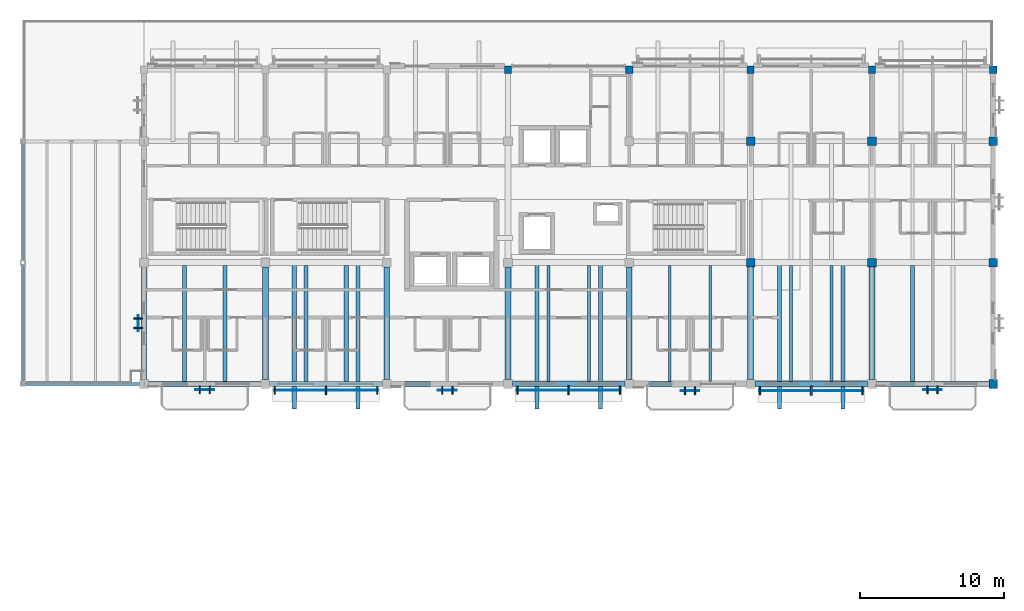
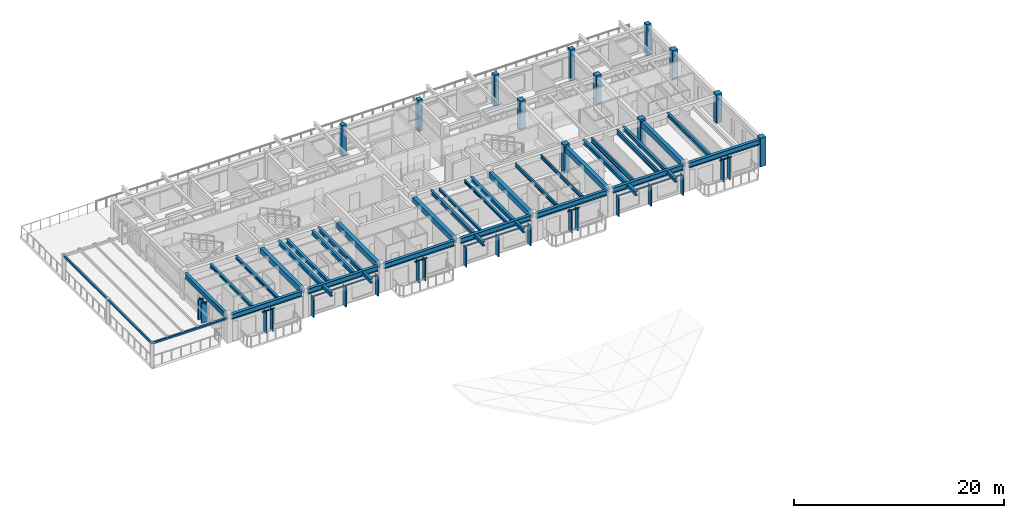
# One storey, part 4 of 22: 31 beams, 29 members, 12 columns, 8 elements without a shape of their own.
"""IFC4 building model written with IfcOpenShell, lengths in metres."""

from ifc_helpers import new_model, si_unit, direction, frame, origin, origin_2d, place, context, subcontext, project, spatial, rectangle, hollow_rectangle, i_section, extrude, material, material_profile, profile_set, type_object, element, aggregate, save


model = new_model("IFC4")

# Units and contexts
model_context = context("Model", 3, precision=1e-05, world=origin(), true_north=direction((0.0, 1.0)))
body_context = subcontext(model_context, "Body", "Model", "MODEL_VIEW")
ifc_project = project(units=[si_unit("LENGTHUNIT", "METRE"), si_unit("AREAUNIT", "SQUARE_METRE"), si_unit("VOLUMEUNIT", "CUBIC_METRE"), si_unit("PLANEANGLEUNIT", "RADIAN"), si_unit("MASSUNIT", "GRAM", prefix="KILO")], contexts=[model_context])

# Site, building, storey
site_placement = place(None, origin())
site = spatial("IfcSite", under=ifc_project, at=site_placement, CompositionType="ELEMENT")
building_placement = place(site_placement, origin())
building = spatial("IfcBuilding", under=site, at=building_placement, Name="Cumbredor Promenade Congress Hotel", CompositionType="ELEMENT")
storey_placement = place(building_placement, frame((0.0, 0.0, 28.56005859375)))
storey = spatial("IfcBuildingStorey", under=building, at=storey_placement, Name="L08", CompositionType="ELEMENT", Elevation=28.56005859375)

# Columns
ifc_material_1 = material(Name="Concrete C40/50", Category="concrete")
ifc_material_profile_1 = material_profile(ifc_material_1, rectangle(XDim=0.5, YDim=0.5, at=origin_2d()), Name="RC 500x500")
ifc_profile_set_1 = profile_set([ifc_material_profile_1], Name="Concrete C40/50")
column_type_1 = type_object("IfcColumnType", Name="COL-RC-500", PredefinedType="COLUMN", material=ifc_profile_set_1)
for number, where, z_axis, x_axis, name in (
    (1, (33.60009765625, 114.14990234375, -0.31494140625), (0.0, 0.0, 1.0), (1.0, 0.0, 0.0), "L08 Structural Column 016"),
    (2, (42.0, 114.14990234375, -0.31494140625), (0.0, 0.0, 1.0), (1.0, 0.0, 0.0), "L08 Structural Column 020"),
    (3, (50.39990234375, 114.14990234375, -0.31494140625), (0.0, 0.0, 1.0), (1.0, 0.0, 0.0), "L08 Structural Column 024"),
    (4, (58.800048828125, 114.14990234375, -0.31494140625), (0.0, 0.0, 1.0), (1.0, 0.0, 0.0), "L08 Structural Column 028"),
    (5, (67.199951171875, 114.14990234375, -0.31494140625), (0.0, 0.0, 1.0), (1.0, 0.0, 0.0), "L08 Structural Column 032"),
):
    element("IfcColumn", number, at=place(storey_placement, frame(where, z_axis=z_axis, x_axis=x_axis)), inside=storey, type_object=column_type_1, Name=name, PredefinedType="COLUMN", context=body_context, shape_type="SweptSolid", body=[
        extrude(rectangle(XDim=0.5, YDim=0.5, at=origin_2d()), origin(), (0.0, 0.0, 1.0), 3.6748046875),
    ])
ifc_material_profile_2 = material_profile(ifc_material_1, rectangle(XDim=0.60009765625, YDim=0.60009765625, at=origin_2d()), Name="RC 600x600")
ifc_profile_set_2 = profile_set([ifc_material_profile_2], Name="Concrete C40/50")
column_type_2 = type_object("IfcColumnType", Name="COL-RC-600", PredefinedType="COLUMN", material=ifc_profile_set_2)
for number, where, z_axis, x_axis, name in (
    (6, (50.39990234375, 100.800048828125, 0.0), (0.0, 0.0, 1.0), (1.0, 0.0, 0.0), "L08 Structural Column 022"),
    (7, (50.39990234375, 109.199951171875, 0.0), (0.0, 0.0, 1.0), (1.0, 0.0, 0.0), "L08 Structural Column 023"),
    (8, (58.800048828125, 100.800048828125, 0.0), (0.0, 0.0, 1.0), (1.0, 0.0, 0.0), "L08 Structural Column 026"),
    (9, (58.800048828125, 109.199951171875, 0.0), (0.0, 0.0, 1.0), (1.0, 0.0, 0.0), "L08 Structural Column 027"),
    (10, (67.199951171875, 92.39990234375, 0.0), (0.0, 0.0, 1.0), (1.0, 0.0, 0.0), "L08 Structural Column 029"),
    (11, (67.199951171875, 100.800048828125, 0.0), (0.0, 0.0, 1.0), (1.0, 0.0, 0.0), "L08 Structural Column 030"),
    (12, (67.199951171875, 109.199951171875, 0.0), (0.0, 0.0, 1.0), (1.0, 0.0, 0.0), "L08 Structural Column 031"),
):
    element("IfcColumn", number, at=place(storey_placement, frame(where, z_axis=z_axis, x_axis=x_axis)), inside=storey, type_object=column_type_2, Name=name, PredefinedType="COLUMN", context=body_context, shape_type="SweptSolid", body=[
        extrude(rectangle(XDim=0.60009765625, YDim=0.60009765625, at=origin_2d()), origin(), (0.0, 0.0, 1.0), 3.35986328125),
    ])

# Beams
ifc_material_profile_3 = material_profile(ifc_material_1, rectangle(XDim=0.39990234375, YDim=0.64990234375, at=origin_2d()), Name="RC BEAM 400x650")
ifc_profile_set_3 = profile_set([ifc_material_profile_3], Name="Concrete C40/50")
beam_type_1 = type_object("IfcBeamType", Name="BM-RC-400x650", PredefinedType="BEAM", material=ifc_profile_set_3)
for number, where, z_axis, x_axis, name in (
    (13, (16.800048828125, 92.699951171875, 2.794921875), (0.0, 1.0, 0.0), (-1.0, 0.0, 0.0), "L09 Y-Grid Beam 008"),
    (14, (25.199951171875, 92.699951171875, 2.794921875), (0.0, 1.0, 0.0), (-1.0, 0.0, 0.0), "L09 Y-Grid Beam 013"),
    (15, (33.60009765625, 92.699951171875, 2.794921875), (0.0, 1.0, 0.0), (-1.0, 0.0, 0.0), "L09 Y-Grid Beam 017"),
    (16, (42.0, 92.699951171875, 2.794921875), (0.0, 1.0, 0.0), (-1.0, 0.0, 0.0), "L09 Y-Grid Beam 022"),
    (17, (50.39990234375, 92.699951171875, 2.794921875), (0.0, 1.0, 0.0), (-1.0, 0.0, 0.0), "L09 Y-Grid Beam 027"),
    (18, (58.800048828125, 92.699951171875, 2.794921875), (0.0, 1.0, 0.0), (-1.0, 0.0, 0.0), "L09 Y-Grid Beam 033"),
):
    element("IfcBeam", number, at=place(storey_placement, frame(where, z_axis=z_axis, x_axis=x_axis)), inside=storey, type_object=beam_type_1, Name=name, PredefinedType="BEAM", context=body_context, shape_type="SweptSolid", body=[
        extrude(rectangle(XDim=0.39990234375, YDim=0.64990234375, at=origin_2d()), origin(), (0.0, 0.0, 1.0), 7.800048828125),
    ])
ifc_material_2 = material(Name="Steel ASTM A992 Grade 50", Category="steel")
ifc_material_profile_4 = material_profile(ifc_material_2, i_section(OverallWidth=0.323974609375, OverallDepth=0.611083984375, WebThickness=0.0126953125, FlangeThickness=0.01904296875, at=origin_2d()), Name="W24X104")
ifc_profile_set_4 = profile_set([ifc_material_profile_4], Name="Steel ASTM A992 Grade 50")
beam_type_2 = type_object("IfcBeamType", Name="BM-W24X104", PredefinedType="BEAM", material=ifc_profile_set_4)
beam_1_placement = place(storey_placement, frame((8.699951171875, 92.39990234375, 2.814453125), z_axis=(1.0, 0.0, 0.0), x_axis=(0.0, 1.0, 0.0)))
element("IfcBeam", 19, at=beam_1_placement, inside=storey, type_object=beam_type_2, Name="L09 X-Grid Beam 001", PredefinedType="BEAM", context=body_context, shape_type="SweptSolid", body=[
    extrude(i_section(OverallWidth=0.323974609375, OverallDepth=0.611083984375, WebThickness=0.0126953125, FlangeThickness=0.01904296875, at=origin_2d()), origin(), (0.0, 0.0, 1.0), 7.800048828125),
])
beam_2_placement = place(storey_placement, frame((17.10009765625, 92.39990234375, 2.814453125), z_axis=(1.0, 0.0, 0.0), x_axis=(0.0, 1.0, 0.0)))
element("IfcBeam", 20, at=beam_2_placement, inside=storey, type_object=beam_type_2, Name="L09 X-Grid Beam 007", PredefinedType="BEAM", context=body_context, shape_type="SweptSolid", body=[
    extrude(i_section(OverallWidth=0.323974609375, OverallDepth=0.611083984375, WebThickness=0.0126953125, FlangeThickness=0.01904296875, at=origin_2d()), origin(), (0.0, 0.0, 1.0), 7.7998046875),
])
for number, where, z_axis, x_axis, name in (
    (21, (25.5, 92.39990234375, 2.814453125), (1.0, 0.0, 0.0), (0.0, 1.0, 0.0), "L09 X-Grid Beam 012"),
    (22, (33.89990234375, 92.39990234375, 2.814453125), (1.0, 0.0, 0.0), (0.0, 1.0, 0.0), "L09 X-Grid Beam 016"),
    (23, (42.300048828125, 92.39990234375, 2.814453125), (1.0, 0.0, 0.0), (0.0, 1.0, 0.0), "L09 X-Grid Beam 021"),
    (24, (50.699951171875, 92.39990234375, 2.814453125), (1.0, 0.0, 0.0), (0.0, 1.0, 0.0), "L09 X-Grid Beam 026"),
):
    element("IfcBeam", number, at=place(storey_placement, frame(where, z_axis=z_axis, x_axis=x_axis)), inside=storey, type_object=beam_type_2, Name=name, PredefinedType="BEAM", context=body_context, shape_type="SweptSolid", body=[
        extrude(i_section(OverallWidth=0.323974609375, OverallDepth=0.611083984375, WebThickness=0.0126953125, FlangeThickness=0.01904296875, at=origin_2d()), origin(), (0.0, 0.0, 1.0), 7.800048828125),
    ])
beam_3_placement = place(storey_placement, frame((59.10009765625, 92.39990234375, 2.814453125), z_axis=(1.0, 0.0, 0.0), x_axis=(0.0, 1.0, 0.0)))
element("IfcBeam", 25, at=beam_3_placement, inside=storey, type_object=beam_type_2, Name="L09 X-Grid Beam 032", PredefinedType="BEAM", context=body_context, shape_type="SweptSolid", body=[
    extrude(i_section(OverallWidth=0.323974609375, OverallDepth=0.611083984375, WebThickness=0.0126953125, FlangeThickness=0.01904296875, at=origin_2d()), origin(), (0.0, 0.0, 1.0), 7.7998046875),
])

# Curtain wall, member
ifc_material_3 = material(Name="Thermally broken anodized aluminium and low-E glass", Category="aluminium")
curtain_wall_type = type_object("IfcCurtainWallType", Name="Solar Brise-Soleil Screen Assembly CW-07", PredefinedType="NOTDEFINED", material=ifc_material_3)
curtain_wall_1_placement = place(storey_placement, origin())
curtain_wall_1 = element("IfcCurtainWall", 26, at=curtain_wall_1_placement, inside=storey, type_object=curtain_wall_type, Name="L08 Veranda Solar Brise-Soleil Screen 1042", PredefinedType="NOTDEFINED")
ifc_material_4 = material(Name="Thermally broken anodized aluminium", Category="aluminium")
ifc_material_profile_5 = material_profile(ifc_material_4, rectangle(XDim=0.06494140625, YDim=0.1298828125, at=origin_2d()), Name="ALU TRANSOM 65x130")
ifc_profile_set_5 = profile_set([ifc_material_profile_5], Name="Thermally broken anodized aluminium")
member_type_1 = type_object("IfcMemberType", Name="Curtain Wall Transom TR-01", PredefinedType="USERDEFINED", material=ifc_profile_set_5)
member_1_placement = place(storey_placement, frame((11.949951171875, 91.989990234375, 2.4140625), z_axis=(1.0, 0.0, 0.0), x_axis=(0.0, 1.0, 0.0)))
member_1 = element("IfcMember", 27, at=member_1_placement, type_object=member_type_1, Name="L08 Brise-Soleil Header Tie 1044", ObjectType="TRANSOM", PredefinedType="USERDEFINED", context=body_context, shape_type="SweptSolid", body=[
    extrude(rectangle(XDim=0.06494140625, YDim=0.1298828125, at=origin_2d()), origin(), (0.0, 0.0, 1.0), 1.300048828125),
])

curtain_wall_2_placement = place(storey_placement, origin())
curtain_wall_2 = element("IfcCurtainWall", 28, at=curtain_wall_2_placement, inside=storey, type_object=curtain_wall_type, Name="L08 Hospitality Brise-Soleil Screen 103", PredefinedType="NOTDEFINED")
member_2_placement = place(storey_placement, frame((17.40087890625, 91.9775390625, 2.31396484375), z_axis=(1.0, 0.0, 0.0), x_axis=(0.0, 1.0, 0.0)))
member_2 = element("IfcMember", 29, at=member_2_placement, type_object=member_type_1, Name="L08 Brise-Soleil Screen Transom 103", ObjectType="TRANSOM", PredefinedType="USERDEFINED", context=body_context, shape_type="SweptSolid", body=[
    extrude(rectangle(XDim=0.06494140625, YDim=0.1298828125, at=origin_2d()), origin(), (0.0, 0.0, 1.0), 7.1982421875),
])

curtain_wall_3_placement = place(storey_placement, origin())
curtain_wall_3 = element("IfcCurtainWall", 30, at=curtain_wall_3_placement, inside=storey, type_object=curtain_wall_type, Name="L08 Veranda Solar Brise-Soleil Screen 1048", PredefinedType="NOTDEFINED")
member_3_placement = place(storey_placement, frame((28.75, 91.965087890625, 2.4140625), z_axis=(1.0, 0.0, 0.0), x_axis=(0.0, 1.0, 0.0)))
member_3 = element("IfcMember", 31, at=member_3_placement, type_object=member_type_1, Name="L08 Brise-Soleil Header Tie 1050", ObjectType="TRANSOM", PredefinedType="USERDEFINED", context=body_context, shape_type="SweptSolid", body=[
    extrude(rectangle(XDim=0.06494140625, YDim=0.1298828125, at=origin_2d()), origin(), (0.0, 0.0, 1.0), 1.300048828125),
])

curtain_wall_4_placement = place(storey_placement, origin())
curtain_wall_4 = element("IfcCurtainWall", 32, at=curtain_wall_4_placement, inside=storey, type_object=curtain_wall_type, Name="L08 Hospitality Brise-Soleil Screen 104", PredefinedType="NOTDEFINED")
member_4_placement = place(storey_placement, frame((34.200927734375, 91.949951171875, 2.31396484375), z_axis=(1.0, 0.0, 0.0), x_axis=(0.0, 1.0, 0.0)))
member_4 = element("IfcMember", 33, at=member_4_placement, type_object=member_type_1, Name="L08 Brise-Soleil Screen Transom 104", ObjectType="TRANSOM", PredefinedType="USERDEFINED", context=body_context, shape_type="SweptSolid", body=[
    extrude(rectangle(XDim=0.06494140625, YDim=0.1298828125, at=origin_2d()), origin(), (0.0, 0.0, 1.0), 7.197998046875),
])

curtain_wall_5_placement = place(storey_placement, origin())
curtain_wall_5 = element("IfcCurtainWall", 34, at=curtain_wall_5_placement, inside=storey, type_object=curtain_wall_type, Name="L08 Veranda Solar Brise-Soleil Screen 1054", PredefinedType="NOTDEFINED")
member_5_placement = place(storey_placement, frame((45.550048828125, 91.927490234375, 2.4140625), z_axis=(1.0, 0.0, 0.0), x_axis=(0.0, 1.0, 0.0)))
member_5 = element("IfcMember", 35, at=member_5_placement, type_object=member_type_1, Name="L08 Brise-Soleil Header Tie 1056", ObjectType="TRANSOM", PredefinedType="USERDEFINED", context=body_context, shape_type="SweptSolid", body=[
    extrude(rectangle(XDim=0.06494140625, YDim=0.1298828125, at=origin_2d()), origin(), (0.0, 0.0, 1.0), 1.300048828125),
])

curtain_wall_6_placement = place(storey_placement, origin())
curtain_wall_6 = element("IfcCurtainWall", 36, at=curtain_wall_6_placement, inside=storey, type_object=curtain_wall_type, Name="L08 Hospitality Brise-Soleil Screen 105", PredefinedType="NOTDEFINED")
member_6_placement = place(storey_placement, frame((51.0009765625, 91.9150390625, 2.31396484375), z_axis=(1.0, 0.0, 0.0), x_axis=(0.0, 1.0, 0.0)))
member_6 = element("IfcMember", 37, at=member_6_placement, type_object=member_type_1, Name="L08 Brise-Soleil Screen Transom 105", ObjectType="TRANSOM", PredefinedType="USERDEFINED", context=body_context, shape_type="SweptSolid", body=[
    extrude(rectangle(XDim=0.06494140625, YDim=0.1298828125, at=origin_2d()), origin(), (0.0, 0.0, 1.0), 7.197998046875),
])

curtain_wall_7_placement = place(storey_placement, origin())
curtain_wall_7 = element("IfcCurtainWall", 38, at=curtain_wall_7_placement, inside=storey, type_object=curtain_wall_type, Name="L08 Veranda Solar Brise-Soleil Screen 1060", PredefinedType="NOTDEFINED")
member_7_placement = place(storey_placement, frame((62.35009765625, 92.010009765625, 2.4140625), z_axis=(1.0, 0.0, 0.0), x_axis=(0.0, 1.0, 0.0)))
member_7 = element("IfcMember", 39, at=member_7_placement, type_object=member_type_1, Name="L08 Brise-Soleil Header Tie 1062", ObjectType="TRANSOM", PredefinedType="USERDEFINED", context=body_context, shape_type="SweptSolid", body=[
    extrude(rectangle(XDim=0.06494140625, YDim=0.1298828125, at=origin_2d()), origin(), (0.0, 0.0, 1.0), 1.2998046875),
])

curtain_wall_8_placement = place(storey_placement, origin())
curtain_wall_8 = element("IfcCurtainWall", 40, at=curtain_wall_8_placement, inside=storey, type_object=curtain_wall_type, Name="L08 Pier Brise-Soleil Screen 1078", PredefinedType="NOTDEFINED")
member_8_placement = place(storey_placement, frame((7.989990234375, 96.050048828125, 2.333984375), z_axis=(0.0, 1.0, 0.0), x_axis=(-1.0, 0.0, 0.0)))
member_8 = element("IfcMember", 41, at=member_8_placement, type_object=member_type_1, Name="L08 Pier Brise-Soleil Header 1080", ObjectType="TRANSOM", PredefinedType="USERDEFINED", context=body_context, shape_type="SweptSolid", body=[
    extrude(rectangle(XDim=0.06494140625, YDim=0.1298828125, at=origin_2d()), origin(), (0.0, 0.0, 1.0), 1.099853515625),
])

# Beams
ifc_material_profile_6 = material_profile(ifc_material_2, i_section(OverallWidth=0.202880859375, OverallDepth=0.302978515625, WebThickness=0.007568359375, FlangeThickness=0.01318359375, at=origin_2d()), Name="W12X40")
ifc_profile_set_6 = profile_set([ifc_material_profile_6], Name="Steel ASTM A992 Grade 50")
beam_type_3 = type_object("IfcBeamType", Name="JST-W12X40", PredefinedType="JOIST", material=ifc_profile_set_6)
for number, where, z_axis, x_axis, name in (
    (42, (36.39990234375, 92.56201171875, 2.968505859375), (0.0, 1.0, 0.0), (-1.0, 0.0, 0.0), "L09 Secondary Floor Joist 0005"),
    (43, (39.199951171875, 92.56201171875, 2.968505859375), (0.0, 1.0, 0.0), (-1.0, 0.0, 0.0), "L09 Secondary Floor Joist 0006"),
):
    element("IfcBeam", number, at=place(storey_placement, frame(where, z_axis=z_axis, x_axis=x_axis)), inside=storey, type_object=beam_type_3, Name=name, PredefinedType="JOIST", context=body_context, shape_type="SweptSolid", body=[
        extrude(i_section(OverallWidth=0.202880859375, OverallDepth=0.302978515625, WebThickness=0.007568359375, FlangeThickness=0.01318359375, at=origin_2d()), origin(), (0.0, 0.0, 1.0), 8.0380859375),
    ])
ifc_material_profile_7 = material_profile(ifc_material_2, i_section(OverallWidth=0.2548828125, OverallDepth=0.35693359375, WebThickness=0.010498046875, FlangeThickness=0.018310546875, at=origin_2d()), Name="W14X68")
ifc_profile_set_7 = profile_set([ifc_material_profile_7], Name="Steel ASTM A992 Grade 50")
beam_type_4 = type_object("IfcBeamType", Name="JST-W14X68", PredefinedType="JOIST", material=ifc_profile_set_7)
for number, where, z_axis, x_axis, name in (
    (44, (11.199951171875, 92.56201171875, 2.94140625), (0.0, 1.0, 0.0), (-1.0, 0.0, 0.0), "L09 Secondary Floor Joist 0001"),
    (45, (14.0, 92.56201171875, 2.94140625), (0.0, 1.0, 0.0), (-1.0, 0.0, 0.0), "L09 Secondary Floor Joist 0002"),
):
    element("IfcBeam", number, at=place(storey_placement, frame(where, z_axis=z_axis, x_axis=x_axis)), inside=storey, type_object=beam_type_4, Name=name, PredefinedType="JOIST", context=body_context, shape_type="SweptSolid", body=[
        extrude(i_section(OverallWidth=0.2548828125, OverallDepth=0.35693359375, WebThickness=0.010498046875, FlangeThickness=0.018310546875, at=origin_2d()), origin(), (0.0, 0.0, 1.0), 8.0380859375),
    ])
ifc_material_profile_8 = material_profile(ifc_material_2, i_section(OverallWidth=0.180908203125, OverallDepth=0.4169921875, WebThickness=0.010986328125, FlangeThickness=0.018310546875, at=origin_2d()), Name="W16X57")
ifc_profile_set_8 = profile_set([ifc_material_profile_8], Name="Steel ASTM A992 Grade 50")
beam_type_5 = type_object("IfcBeamType", Name="JST-W16X57", PredefinedType="JOIST", material=ifc_profile_set_8)
for number, where, z_axis, x_axis, name in (
    (46, (44.800048828125, 92.56201171875, 2.911376953125), (0.0, 1.0, 0.0), (-1.0, 0.0, 0.0), "L09 Secondary Floor Joist 0007"),
    (47, (47.60009765625, 92.56201171875, 2.911376953125), (0.0, 1.0, 0.0), (-1.0, 0.0, 0.0), "L09 Secondary Floor Joist 0008"),
):
    element("IfcBeam", number, at=place(storey_placement, frame(where, z_axis=z_axis, x_axis=x_axis)), inside=storey, type_object=beam_type_5, Name=name, PredefinedType="JOIST", context=body_context, shape_type="SweptSolid", body=[
        extrude(i_section(OverallWidth=0.180908203125, OverallDepth=0.4169921875, WebThickness=0.010986328125, FlangeThickness=0.018310546875, at=origin_2d()), origin(), (0.0, 0.0, 1.0), 8.0380859375),
    ])
ifc_material_profile_9 = material_profile(ifc_material_2, i_section(OverallWidth=0.280029296875, OverallDepth=0.462890625, WebThickness=0.0107421875, FlangeThickness=0.017333984375, at=origin_2d()), Name="W18X76")
ifc_profile_set_9 = profile_set([ifc_material_profile_9], Name="Steel ASTM A992 Grade 50")
beam_type_6 = type_object("IfcBeamType", Name="JST-W18X76", PredefinedType="JOIST", material=ifc_profile_set_9)
for number, where, z_axis, x_axis, name in (
    (48, (18.800048828125, 90.64990234375, 2.888427734375), (0.0, 1.0, 0.0), (-1.0, 0.0, 0.0), "L09 Balcony Back-Spanned Outrigger Beam 057.1"),
    (49, (23.199951171875, 90.64990234375, 2.888427734375), (0.0, 1.0, 0.0), (-1.0, 0.0, 0.0), "L09 Balcony Back-Spanned Outrigger Beam 057.2"),
    (50, (35.60009765625, 90.64990234375, 2.888427734375), (0.0, 1.0, 0.0), (-1.0, 0.0, 0.0), "L09 Balcony Back-Spanned Outrigger Beam 058.1"),
    (51, (40.0, 90.64990234375, 2.888427734375), (0.0, 1.0, 0.0), (-1.0, 0.0, 0.0), "L09 Balcony Back-Spanned Outrigger Beam 058.2"),
    (52, (52.39990234375, 90.64990234375, 2.888427734375), (0.0, 1.0, 0.0), (-1.0, 0.0, 0.0), "L09 Balcony Back-Spanned Outrigger Beam 059.1"),
    (53, (56.800048828125, 90.64990234375, 2.888427734375), (0.0, 1.0, 0.0), (-1.0, 0.0, 0.0), "L09 Balcony Back-Spanned Outrigger Beam 059.2"),
):
    element("IfcBeam", number, at=place(storey_placement, frame(where, z_axis=z_axis, x_axis=x_axis)), inside=storey, type_object=beam_type_6, Name=name, PredefinedType="JOIST", context=body_context, shape_type="SweptSolid", body=[
        extrude(i_section(OverallWidth=0.280029296875, OverallDepth=0.462890625, WebThickness=0.0107421875, FlangeThickness=0.017333984375, at=origin_2d()), origin(), (0.0, 0.0, 1.0), 10.150146484375),
    ])
for number, where, z_axis, x_axis, name in (
    (54, (19.60009765625, 92.56201171875, 2.888427734375), (0.0, 1.0, 0.0), (-1.0, 0.0, 0.0), "L09 Secondary Floor Joist 0003"),
    (55, (22.39990234375, 92.56201171875, 2.888427734375), (0.0, 1.0, 0.0), (-1.0, 0.0, 0.0), "L09 Secondary Floor Joist 0004"),
    (56, (61.60009765625, 92.56201171875, 2.888427734375), (0.0, 1.0, 0.0), (-1.0, 0.0, 0.0), "L09 Secondary Floor Joist 0013"),
):
    element("IfcBeam", number, at=place(storey_placement, frame(where, z_axis=z_axis, x_axis=x_axis)), inside=storey, type_object=beam_type_6, Name=name, PredefinedType="JOIST", context=body_context, shape_type="SweptSolid", body=[
        extrude(i_section(OverallWidth=0.280029296875, OverallDepth=0.462890625, WebThickness=0.0107421875, FlangeThickness=0.017333984375, at=origin_2d()), origin(), (0.0, 0.0, 1.0), 8.0380859375),
    ])
ifc_material_profile_10 = material_profile(ifc_material_2, i_section(OverallWidth=0.214111328125, OverallDepth=0.549072265625, WebThickness=0.0146484375, FlangeThickness=0.023681640625, at=origin_2d()), Name="W21X93")
ifc_profile_set_10 = profile_set([ifc_material_profile_10], Name="Steel ASTM A992 Grade 50")
beam_type_7 = type_object("IfcBeamType", Name="JST-W21X93", PredefinedType="JOIST", material=ifc_profile_set_10)
for number, where, z_axis, x_axis, name in (
    (57, (53.199951171875, 92.56201171875, 2.845458984375), (0.0, 1.0, 0.0), (-1.0, 0.0, 0.0), "L09 Secondary Floor Joist 0009"),
    (58, (56.0, 92.56201171875, 2.845458984375), (0.0, 1.0, 0.0), (-1.0, 0.0, 0.0), "L09 Secondary Floor Joist 0010"),
):
    element("IfcBeam", number, at=place(storey_placement, frame(where, z_axis=z_axis, x_axis=x_axis)), inside=storey, type_object=beam_type_7, Name=name, PredefinedType="JOIST", context=body_context, shape_type="SweptSolid", body=[
        extrude(i_section(OverallWidth=0.214111328125, OverallDepth=0.549072265625, WebThickness=0.0146484375, FlangeThickness=0.023681640625, at=origin_2d()), origin(), (0.0, 0.0, 1.0), 8.0380859375),
    ])

# Members
ifc_material_5 = material(Name="Steel ASTM A500 Grade C", Category="steel")
ifc_material_profile_11 = material_profile(ifc_material_5, hollow_rectangle(XDim=0.199951171875, YDim=0.199951171875, WallThickness=0.012451171875, at=origin_2d()), Name="HSS 200x200x12.5")
ifc_profile_set_11 = profile_set([ifc_material_profile_11], Name="Steel ASTM A500 Grade C")
member_type_2 = type_object("IfcMemberType", Name="Link Bridge Truss Chord", PredefinedType="CHORD", material=ifc_profile_set_11)
member_9_placement = place(storey_placement, frame((0.0, 92.39990234375, 2.75), z_axis=(1.0, 0.0, 0.0), x_axis=(0.0, 1.0, 0.0)))
element("IfcMember", 59, at=member_9_placement, inside=storey, type_object=member_type_2, Name="L08 Sky-Garden Pergola Tie Beam 4S", PredefinedType="CHORD", context=body_context, shape_type="SweptSolid", body=[
    extrude(hollow_rectangle(XDim=0.199951171875, YDim=0.199951171875, WallThickness=0.012451171875, at=origin_2d()), origin(), (0.0, 0.0, 1.0), 8.39990234375),
])
member_10_placement = place(storey_placement, frame((0.0, 92.39990234375, 2.75), z_axis=(0.0, 1.0, 0.0), x_axis=(-1.0, 0.0, 0.0)))
element("IfcMember", 60, at=member_10_placement, inside=storey, type_object=member_type_2, Name="L08 Sky-Garden Pergola Tie Beam 4W", PredefinedType="CHORD", context=body_context, shape_type="SweptSolid", body=[
    extrude(hollow_rectangle(XDim=0.199951171875, YDim=0.199951171875, WallThickness=0.012451171875, at=origin_2d()), origin(), (0.0, 0.0, 1.0), 16.800048828125),
])

# Beam
ifc_material_profile_12 = material_profile(ifc_material_2, i_section(OverallWidth=0.323974609375, OverallDepth=0.611083984375, WebThickness=0.0126953125, FlangeThickness=0.01904296875, at=origin_2d()), Name="W24X104")
ifc_profile_set_12 = profile_set([ifc_material_profile_12], Name="Steel ASTM A992 Grade 50")
beam_type_8 = type_object("IfcBeamType", Name="SP-W24X104", PredefinedType="SPANDREL", material=ifc_profile_set_12)
beam_4_placement = place(storey_placement, frame((8.39990234375, 92.699951171875, 2.814453125), z_axis=(0.0, 1.0, 0.0), x_axis=(-1.0, 0.0, 0.0)))
element("IfcBeam", 61, at=beam_4_placement, inside=storey, type_object=beam_type_8, Name="L09 Y-Grid Beam 002", PredefinedType="SPANDREL", context=body_context, shape_type="SweptSolid", body=[
    extrude(i_section(OverallWidth=0.323974609375, OverallDepth=0.611083984375, WebThickness=0.0126953125, FlangeThickness=0.01904296875, at=origin_2d()), origin(), (0.0, 0.0, 1.0), 7.800048828125),
])

# Member
ifc_material_profile_13 = material_profile(ifc_material_4, rectangle(XDim=0.110107421875, YDim=0.6201171875, at=origin_2d()), Name="ARCH FIN 110x620")
ifc_profile_set_13 = profile_set([ifc_material_profile_13], Name="Thermally broken anodized aluminium")
member_type_3 = type_object("IfcMemberType", Name="Vertical Bronze Brise-Soleil Fin BSF-02 110x620", PredefinedType="USERDEFINED", material=ifc_profile_set_13)
member_11_placement = place(storey_placement, frame((21.0, 91.9775390625, 0.02001953125), z_axis=(0.0, 0.0, 1.0), x_axis=(1.0, 0.0, 0.0)))
member_11 = element("IfcMember", 62, at=member_11_placement, type_object=member_type_3, Name="L08 Vertical Brise-Soleil Fin 1046", ObjectType="SOLAR FIN", PredefinedType="USERDEFINED", context=body_context, shape_type="SweptSolid", body=[
    extrude(rectangle(XDim=0.110107421875, YDim=0.6201171875, at=origin_2d()), origin(), (0.0, 0.0, 1.0), 2.35400390625),
])

member_12_placement = place(storey_placement, frame((37.800048828125, 91.949951171875, 0.02001953125), z_axis=(0.0, 0.0, 1.0), x_axis=(1.0, 0.0, 0.0)))
member_12 = element("IfcMember", 63, at=member_12_placement, type_object=member_type_3, Name="L08 Vertical Brise-Soleil Fin 1052", ObjectType="SOLAR FIN", PredefinedType="USERDEFINED", context=body_context, shape_type="SweptSolid", body=[
    extrude(rectangle(XDim=0.110107421875, YDim=0.6201171875, at=origin_2d()), origin(), (0.0, 0.0, 1.0), 2.35400390625),
])

member_13_placement = place(storey_placement, frame((54.60009765625, 91.9150390625, 0.02001953125), z_axis=(0.0, 0.0, 1.0), x_axis=(1.0, 0.0, 0.0)))
member_13 = element("IfcMember", 64, at=member_13_placement, type_object=member_type_3, Name="L08 Vertical Brise-Soleil Fin 1058", ObjectType="SOLAR FIN", PredefinedType="USERDEFINED", context=body_context, shape_type="SweptSolid", body=[
    extrude(rectangle(XDim=0.110107421875, YDim=0.6201171875, at=origin_2d()), origin(), (0.0, 0.0, 1.0), 2.35400390625),
])

member_14_placement = place(storey_placement, frame((7.989990234375, 96.280029296875, 0.02001953125), z_axis=(0.0, 0.0, 1.0), x_axis=(0.0, 1.0, 0.0)))
member_14 = element("IfcMember", 65, at=member_14_placement, type_object=member_type_3, Name="L08 Pier Brise-Soleil Fin 1079", ObjectType="SOLAR FIN", PredefinedType="USERDEFINED", context=body_context, shape_type="SweptSolid", body=[
    extrude(rectangle(XDim=0.110107421875, YDim=0.6201171875, at=origin_2d()), origin(), (0.0, 0.0, 1.0), 2.35400390625),
])

member_15_placement = place(storey_placement, frame((7.989990234375, 96.919921875, 0.02001953125), z_axis=(0.0, 0.0, 1.0), x_axis=(0.0, 1.0, 0.0)))
member_15 = element("IfcMember", 66, at=member_15_placement, type_object=member_type_3, Name="L08 Pier Brise-Soleil Fin 1080", ObjectType="SOLAR FIN", PredefinedType="USERDEFINED", context=body_context, shape_type="SweptSolid", body=[
    extrude(rectangle(XDim=0.110107421875, YDim=0.6201171875, at=origin_2d()), origin(), (0.0, 0.0, 1.0), 2.35400390625),
])

aggregate(curtain_wall_8, [member_14, member_15, member_8])

ifc_material_6 = material(Name="Kiln-dried tropical hardwood", Category="wood")
ifc_material_profile_14 = material_profile(ifc_material_6, rectangle(XDim=0.090087890625, YDim=0.550048828125, at=origin_2d()), Name="ARCH FIN 90x550")
ifc_profile_set_14 = profile_set([ifc_material_profile_14], Name="Kiln-dried tropical hardwood")
member_type_4 = type_object("IfcMemberType", Name="Vertical Hardwood Brise-Soleil Fin BSF-01 90x550", PredefinedType="USERDEFINED", material=ifc_profile_set_14)
member_16_placement = place(storey_placement, frame((12.25, 91.989990234375, -0.010009765625), z_axis=(0.0, 0.0, 1.0), x_axis=(1.0, 0.0, 0.0)))
member_16 = element("IfcMember", 67, at=member_16_placement, type_object=member_type_4, Name="L08 Vertical Hardwood Brise-Soleil Fin 1043", ObjectType="SOLAR FIN", PredefinedType="USERDEFINED", context=body_context, shape_type="SweptSolid", body=[
    extrude(rectangle(XDim=0.090087890625, YDim=0.550048828125, at=origin_2d()), origin(), (0.0, 0.0, 1.0), 2.48388671875),
])

member_17_placement = place(storey_placement, frame((12.949951171875, 91.989990234375, -0.010009765625), z_axis=(0.0, 0.0, 1.0), x_axis=(1.0, 0.0, 0.0)))
member_17 = element("IfcMember", 68, at=member_17_placement, type_object=member_type_4, Name="L08 Vertical Hardwood Brise-Soleil Fin 1044", ObjectType="SOLAR FIN", PredefinedType="USERDEFINED", context=body_context, shape_type="SweptSolid", body=[
    extrude(rectangle(XDim=0.090087890625, YDim=0.550048828125, at=origin_2d()), origin(), (0.0, 0.0, 1.0), 2.48388671875),
])

aggregate(curtain_wall_1, [member_16, member_17, member_1])

member_18_placement = place(storey_placement, frame((17.450927734375, 91.9775390625, 0.02001953125), z_axis=(0.0, 0.0, 1.0), x_axis=(1.0, 0.0, 0.0)))
member_18 = element("IfcMember", 69, at=member_18_placement, type_object=member_type_4, Name="L08 Vertical Brise-Soleil Fin 1045", ObjectType="SOLAR FIN", PredefinedType="USERDEFINED", context=body_context, shape_type="SweptSolid", body=[
    extrude(rectangle(XDim=0.090087890625, YDim=0.550048828125, at=origin_2d()), origin(), (0.0, 0.0, 1.0), 2.35400390625),
])

member_19_placement = place(storey_placement, frame((24.549072265625, 91.9775390625, 0.02001953125), z_axis=(0.0, 0.0, 1.0), x_axis=(1.0, 0.0, 0.0)))
member_19 = element("IfcMember", 70, at=member_19_placement, type_object=member_type_4, Name="L08 Vertical Brise-Soleil Fin 1047", ObjectType="SOLAR FIN", PredefinedType="USERDEFINED", context=body_context, shape_type="SweptSolid", body=[
    extrude(rectangle(XDim=0.090087890625, YDim=0.550048828125, at=origin_2d()), origin(), (0.0, 0.0, 1.0), 2.35400390625),
])

aggregate(curtain_wall_2, [member_2, member_18, member_11, member_19])

member_20_placement = place(storey_placement, frame((29.050048828125, 91.965087890625, -0.010009765625), z_axis=(0.0, 0.0, 1.0), x_axis=(1.0, 0.0, 0.0)))
member_20 = element("IfcMember", 71, at=member_20_placement, type_object=member_type_4, Name="L08 Vertical Hardwood Brise-Soleil Fin 1049", ObjectType="SOLAR FIN", PredefinedType="USERDEFINED", context=body_context, shape_type="SweptSolid", body=[
    extrude(rectangle(XDim=0.090087890625, YDim=0.550048828125, at=origin_2d()), origin(), (0.0, 0.0, 1.0), 2.48388671875),
])

member_21_placement = place(storey_placement, frame((29.75, 91.965087890625, -0.010009765625), z_axis=(0.0, 0.0, 1.0), x_axis=(1.0, 0.0, 0.0)))
member_21 = element("IfcMember", 72, at=member_21_placement, type_object=member_type_4, Name="L08 Vertical Hardwood Brise-Soleil Fin 1050", ObjectType="SOLAR FIN", PredefinedType="USERDEFINED", context=body_context, shape_type="SweptSolid", body=[
    extrude(rectangle(XDim=0.090087890625, YDim=0.550048828125, at=origin_2d()), origin(), (0.0, 0.0, 1.0), 2.48388671875),
])

aggregate(curtain_wall_3, [member_20, member_21, member_3])

member_22_placement = place(storey_placement, frame((34.2509765625, 91.949951171875, 0.02001953125), z_axis=(0.0, 0.0, 1.0), x_axis=(1.0, 0.0, 0.0)))
member_22 = element("IfcMember", 73, at=member_22_placement, type_object=member_type_4, Name="L08 Vertical Brise-Soleil Fin 1051", ObjectType="SOLAR FIN", PredefinedType="USERDEFINED", context=body_context, shape_type="SweptSolid", body=[
    extrude(rectangle(XDim=0.090087890625, YDim=0.550048828125, at=origin_2d()), origin(), (0.0, 0.0, 1.0), 2.35400390625),
])

member_23_placement = place(storey_placement, frame((41.34912109375, 91.949951171875, 0.02001953125), z_axis=(0.0, 0.0, 1.0), x_axis=(1.0, 0.0, 0.0)))
member_23 = element("IfcMember", 74, at=member_23_placement, type_object=member_type_4, Name="L08 Vertical Brise-Soleil Fin 1053", ObjectType="SOLAR FIN", PredefinedType="USERDEFINED", context=body_context, shape_type="SweptSolid", body=[
    extrude(rectangle(XDim=0.090087890625, YDim=0.550048828125, at=origin_2d()), origin(), (0.0, 0.0, 1.0), 2.35400390625),
])

aggregate(curtain_wall_4, [member_4, member_22, member_12, member_23])

member_24_placement = place(storey_placement, frame((45.85009765625, 91.927490234375, -0.010009765625), z_axis=(0.0, 0.0, 1.0), x_axis=(1.0, 0.0, 0.0)))
member_24 = element("IfcMember", 75, at=member_24_placement, type_object=member_type_4, Name="L08 Vertical Hardwood Brise-Soleil Fin 1055", ObjectType="SOLAR FIN", PredefinedType="USERDEFINED", context=body_context, shape_type="SweptSolid", body=[
    extrude(rectangle(XDim=0.090087890625, YDim=0.550048828125, at=origin_2d()), origin(), (0.0, 0.0, 1.0), 2.48388671875),
])

member_25_placement = place(storey_placement, frame((46.550048828125, 91.927490234375, -0.010009765625), z_axis=(0.0, 0.0, 1.0), x_axis=(1.0, 0.0, 0.0)))
member_25 = element("IfcMember", 76, at=member_25_placement, type_object=member_type_4, Name="L08 Vertical Hardwood Brise-Soleil Fin 1056", ObjectType="SOLAR FIN", PredefinedType="USERDEFINED", context=body_context, shape_type="SweptSolid", body=[
    extrude(rectangle(XDim=0.090087890625, YDim=0.550048828125, at=origin_2d()), origin(), (0.0, 0.0, 1.0), 2.48388671875),
])

aggregate(curtain_wall_5, [member_24, member_25, member_5])

member_26_placement = place(storey_placement, frame((51.051025390625, 91.9150390625, 0.02001953125), z_axis=(0.0, 0.0, 1.0), x_axis=(1.0, 0.0, 0.0)))
member_26 = element("IfcMember", 77, at=member_26_placement, type_object=member_type_4, Name="L08 Vertical Brise-Soleil Fin 1057", ObjectType="SOLAR FIN", PredefinedType="USERDEFINED", context=body_context, shape_type="SweptSolid", body=[
    extrude(rectangle(XDim=0.090087890625, YDim=0.550048828125, at=origin_2d()), origin(), (0.0, 0.0, 1.0), 2.35400390625),
])

member_27_placement = place(storey_placement, frame((58.14892578125, 91.9150390625, 0.02001953125), z_axis=(0.0, 0.0, 1.0), x_axis=(1.0, 0.0, 0.0)))
member_27 = element("IfcMember", 78, at=member_27_placement, type_object=member_type_4, Name="L08 Vertical Brise-Soleil Fin 1059", ObjectType="SOLAR FIN", PredefinedType="USERDEFINED", context=body_context, shape_type="SweptSolid", body=[
    extrude(rectangle(XDim=0.090087890625, YDim=0.550048828125, at=origin_2d()), origin(), (0.0, 0.0, 1.0), 2.35400390625),
])

aggregate(curtain_wall_6, [member_6, member_26, member_13, member_27])

member_28_placement = place(storey_placement, frame((62.64990234375, 92.010009765625, -0.010009765625), z_axis=(0.0, 0.0, 1.0), x_axis=(1.0, 0.0, 0.0)))
member_28 = element("IfcMember", 79, at=member_28_placement, type_object=member_type_4, Name="L08 Vertical Hardwood Brise-Soleil Fin 1061", ObjectType="SOLAR FIN", PredefinedType="USERDEFINED", context=body_context, shape_type="SweptSolid", body=[
    extrude(rectangle(XDim=0.090087890625, YDim=0.550048828125, at=origin_2d()), origin(), (0.0, 0.0, 1.0), 2.48388671875),
])

member_29_placement = place(storey_placement, frame((63.35009765625, 92.010009765625, -0.010009765625), z_axis=(0.0, 0.0, 1.0), x_axis=(1.0, 0.0, 0.0)))
member_29 = element("IfcMember", 80, at=member_29_placement, type_object=member_type_4, Name="L08 Vertical Hardwood Brise-Soleil Fin 1062", ObjectType="SOLAR FIN", PredefinedType="USERDEFINED", context=body_context, shape_type="SweptSolid", body=[
    extrude(rectangle(XDim=0.090087890625, YDim=0.550048828125, at=origin_2d()), origin(), (0.0, 0.0, 1.0), 2.48388671875),
])

aggregate(curtain_wall_7, [member_28, member_29, member_7])

save(model, "model.ifc")
